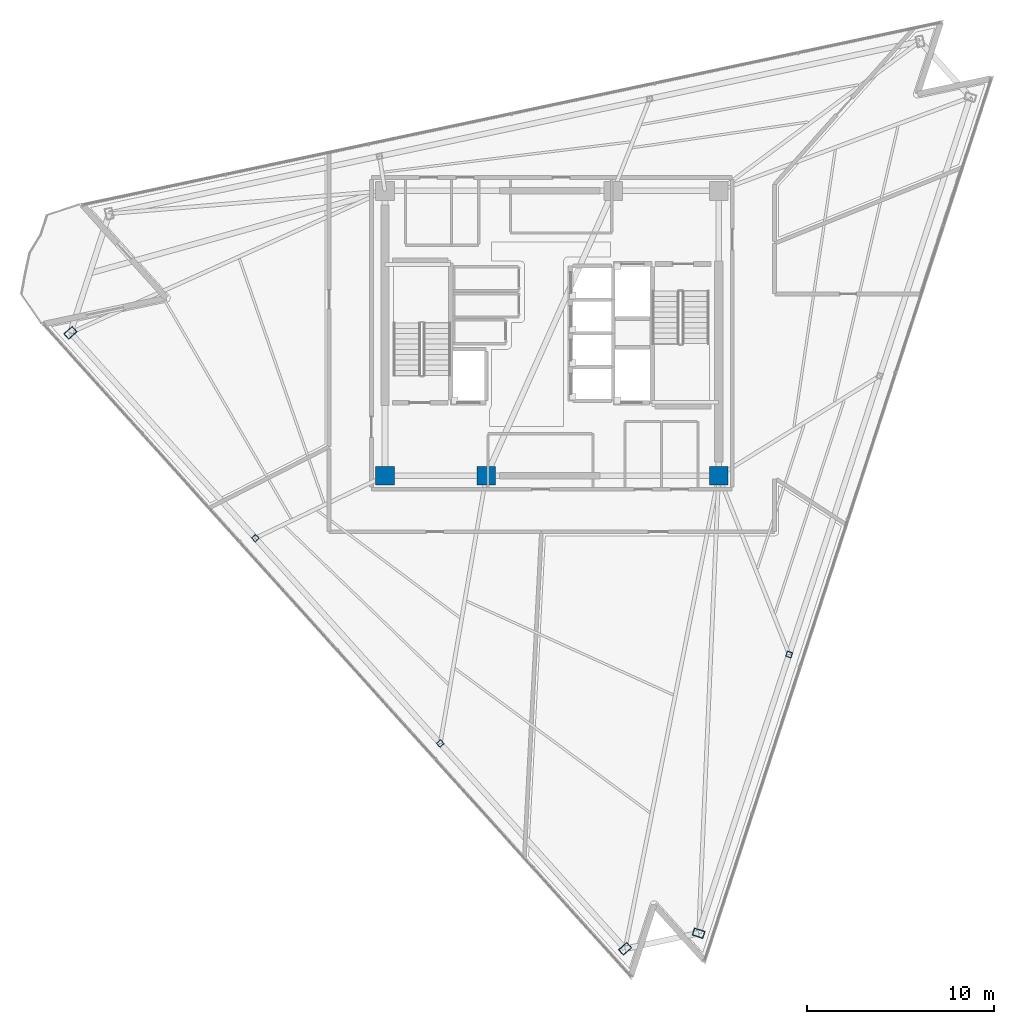
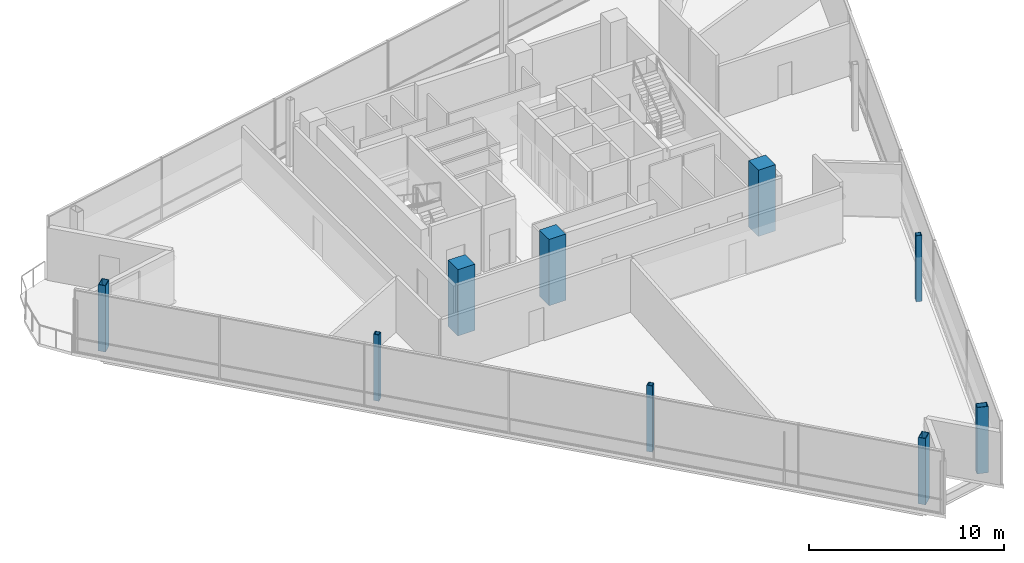
# One storey, part 1 of 17: 9 columns.
"""IFC4 building model written with IfcOpenShell, lengths in metres."""

from ifc_helpers import new_model, si_unit, direction, frame, origin, origin_2d, place, context, subcontext, project, spatial, rectangle, hollow_rectangle, extrude, material, material_profile, profile_set, type_object, element, save


model = new_model("IFC4")

# Units and contexts
model_context = context("Model", 3, precision=1e-05, world=origin(), true_north=direction((0.0, 1.0)))
body_context = subcontext(model_context, "Body", "Model", "MODEL_VIEW")
ifc_project = project(units=[si_unit("LENGTHUNIT", "METRE"), si_unit("AREAUNIT", "SQUARE_METRE"), si_unit("VOLUMEUNIT", "CUBIC_METRE"), si_unit("PLANEANGLEUNIT", "RADIAN"), si_unit("MASSUNIT", "GRAM", prefix="KILO")], contexts=[model_context])

# Site, building, storey
site_placement = place(None, origin())
site = spatial("IfcSite", under=ifc_project, at=site_placement, CompositionType="ELEMENT")
building_placement = place(site_placement, origin())
building = spatial("IfcBuilding", under=site, at=building_placement, Name="Tharavind Bronze Gate", CompositionType="ELEMENT")
storey_placement = place(building_placement, frame((0.0, 0.0, 298.0)))
storey = spatial("IfcBuildingStorey", under=building, at=storey_placement, Name="L77", CompositionType="ELEMENT", Elevation=298.0)

# Columns
ifc_material_1 = material(Name="Steel S460", Category="steel")
ifc_material_profile_1 = material_profile(ifc_material_1, hollow_rectangle(XDim=0.39990234375, YDim=0.60009765625, WallThickness=0.030029296875, at=origin_2d()), Name="RHS600X400X30")
ifc_profile_set_1 = profile_set([ifc_material_profile_1], Name="Steel S460")
column_type_1 = type_object("IfcColumnType", Name="CORNER NOTCH COLUMN RHS600X400", PredefinedType="COLUMN", material=ifc_profile_set_1)
for number, where, z_axis, x_axis, name in (
    (1, (-25.6787109375, 0.03173828125, 0.0), (0.0, 0.0, 1.0), (-0.669130606359, 0.743144825477, 0.0), "L77 perimeter column S1C1"),
    (2, (3.908935546875, -32.82861328125, 0.0), (0.0, 0.0, 1.0), (-0.669130606359, 0.743144825477, 0.0), "L77 perimeter column S1C4"),
    (3, (7.829345703125, -31.99560546875, 0.0), (0.0, 0.0, 1.0), (0.309018654281, 0.951055976957, 0.0), "L77 perimeter column S2C1"),
):
    element("IfcColumn", number, at=place(storey_placement, frame(where, z_axis=z_axis, x_axis=x_axis)), inside=storey, type_object=column_type_1, Name=name, PredefinedType="COLUMN", context=body_context, shape_type="SweptSolid", body=[
        extrude(hollow_rectangle(XDim=0.39990234375, YDim=0.60009765625, WallThickness=0.030029296875, at=origin_2d()), origin(), (0.0, 0.0, 1.0), 4.14990234375),
    ])
ifc_material_2 = material(Name="Concrete C50/60", Category="concrete")
ifc_material_profile_2 = material_profile(ifc_material_2, rectangle(XDim=1.0, YDim=1.0, at=origin_2d()), Name="RCCOL1000")
ifc_profile_set_2 = profile_set([ifc_material_profile_2], Name="Concrete C50/60")
column_type_2 = type_object("IfcColumnType", Name="MEGA CORE COLUMN 1000", PredefinedType="COLUMN", material=ifc_profile_set_2)
for number, where, z_axis, x_axis, name in (
    (4, (-8.89990234375, -7.60009765625, 0.0), (0.0, 0.0, 1.0), (1.0, 0.0, 0.0), "L77 core mega column MC1"),
    (5, (-3.5, -7.60009765625, 0.0), (0.0, 0.0, 1.0), (1.0, 0.0, 0.0), "L77 core mega column MC2"),
    (6, (8.89990234375, -7.60009765625, 0.0), (0.0, 0.0, 1.0), (1.0, 0.0, 0.0), "L77 core mega column MC3"),
):
    element("IfcColumn", number, at=place(storey_placement, frame(where, z_axis=z_axis, x_axis=x_axis)), inside=storey, type_object=column_type_2, Name=name, PredefinedType="COLUMN", context=body_context, shape_type="SweptSolid", body=[
        extrude(rectangle(XDim=1.0, YDim=1.0, at=origin_2d()), origin(), (0.0, 0.0, 1.0), 4.14990234375),
    ])
ifc_material_profile_3 = material_profile(ifc_material_1, hollow_rectangle(XDim=0.300048828125, YDim=0.300048828125, WallThickness=0.02001953125, at=origin_2d()), Name="SHS300X20")
ifc_profile_set_3 = profile_set([ifc_material_profile_3], Name="Steel S460")
column_type_3 = type_object("IfcColumnType", Name="PERIMETER BOX COLUMN SHS300", PredefinedType="COLUMN", material=ifc_profile_set_3)
for number, where, z_axis, x_axis, name in (
    (7, (-15.816162109375, -10.921875, 0.0), (0.0, 0.0, 1.0), (-0.669130606359, 0.743144825477, 0.0), "L77 perimeter column S1C2"),
    (8, (-5.95361328125, -21.875244140625, 0.0), (0.0, 0.0, 1.0), (-0.669130606359, 0.743144825477, 0.0), "L77 perimeter column S1C3"),
    (9, (12.6591796875, -17.130615234375, 0.0), (0.0, 0.0, 1.0), (0.309018654281, 0.951055976957, 0.0), "L77 perimeter column S2C2"),
):
    element("IfcColumn", number, at=place(storey_placement, frame(where, z_axis=z_axis, x_axis=x_axis)), inside=storey, type_object=column_type_3, Name=name, PredefinedType="COLUMN", context=body_context, shape_type="SweptSolid", body=[
        extrude(hollow_rectangle(XDim=0.300048828125, YDim=0.300048828125, WallThickness=0.02001953125, at=origin_2d()), origin(), (0.0, 0.0, 1.0), 4.14990234375),
    ])

save(model, "model.ifc")
